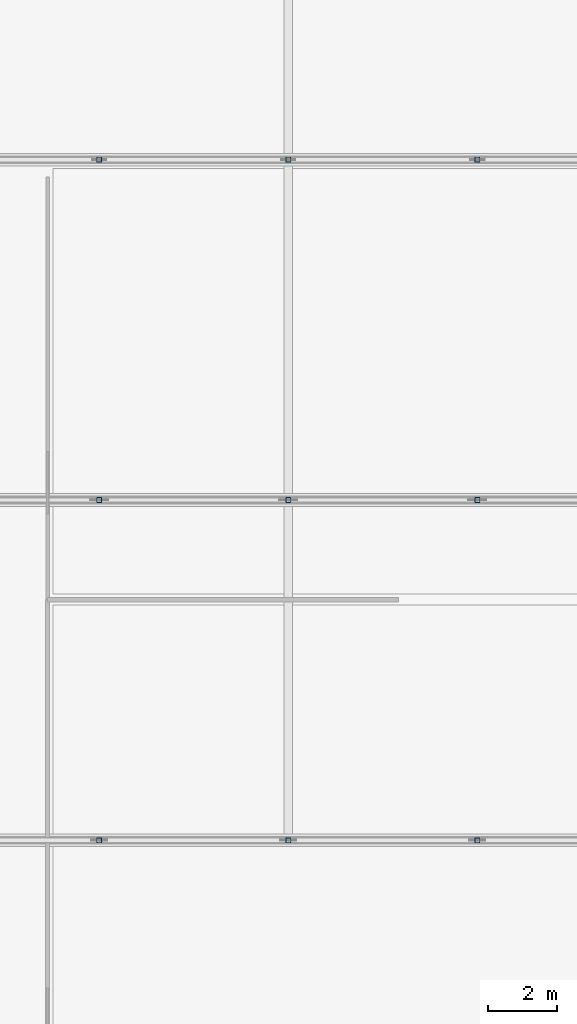
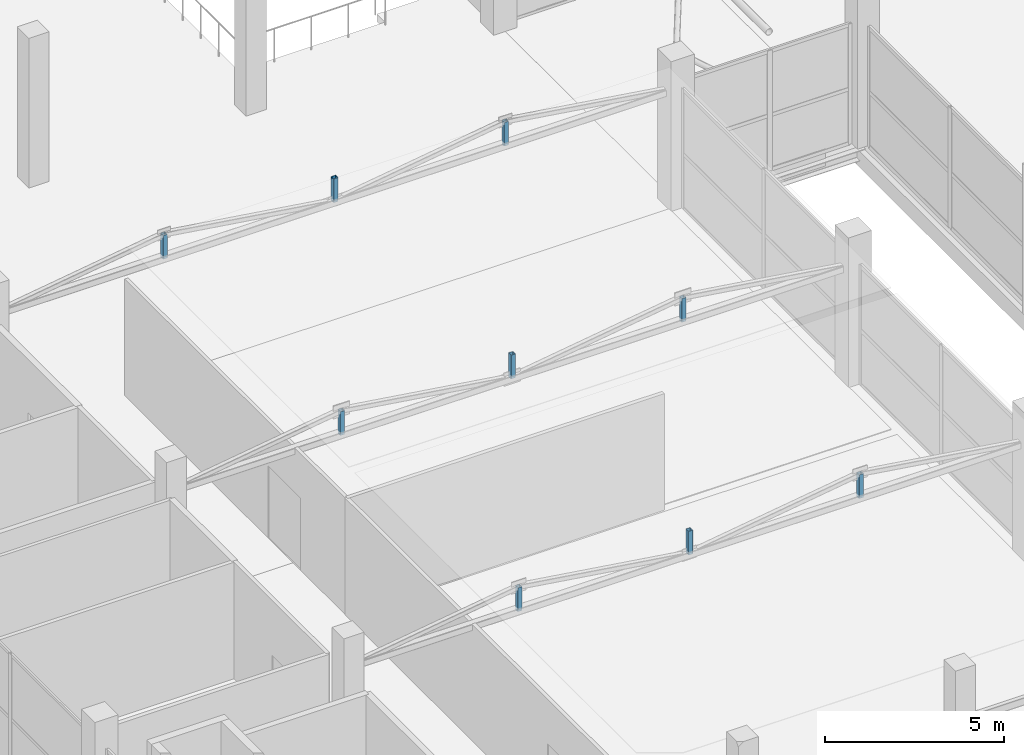
# One storey, part 48 of 67: 9 members.
"""IFC4 building model written with IfcOpenShell, lengths in metres."""

from ifc_helpers import new_model, si_unit, direction, frame, origin, origin_2d, place, context, subcontext, project, spatial, hollow_rectangle, extrude, material, material_profile, profile_set, type_object, element, save


model = new_model("IFC4")

# Units and contexts
model_context = context("Model", 3, precision=1e-05, world=origin(), true_north=direction((0.0, 1.0)))
body_context = subcontext(model_context, "Body", "Model", "MODEL_VIEW")
ifc_project = project(units=[si_unit("LENGTHUNIT", "METRE"), si_unit("AREAUNIT", "SQUARE_METRE"), si_unit("VOLUMEUNIT", "CUBIC_METRE"), si_unit("PLANEANGLEUNIT", "RADIAN"), si_unit("MASSUNIT", "GRAM", prefix="KILO")], contexts=[model_context])

# Site, building, storey
site_placement = place(None, origin())
site = spatial("IfcSite", under=ifc_project, at=site_placement, CompositionType="ELEMENT")
building_placement = place(site_placement, origin())
building = spatial("IfcBuilding", under=site, at=building_placement, Name="Sillaruma Civic Art Gallery", CompositionType="ELEMENT")
storey_placement = place(building_placement, frame((0.0, 0.0, 46.919921875)))
storey = spatial("IfcBuildingStorey", under=building, at=storey_placement, Name="L09", CompositionType="ELEMENT", Elevation=46.919921875)

# Members
ifc_material = material(Name="Structural Steel ASTM A500 Gr.C", Category="steel")
ifc_material_profile = material_profile(ifc_material, hollow_rectangle(XDim=0.14990234375, YDim=0.14990234375, WallThickness=0.010009765625, InnerFilletRadius=0.010009765625, OuterFilletRadius=0.02001953125, at=origin_2d()), Name="HSS150x150x10")
ifc_profile_set = profile_set([ifc_material_profile], Name="Structural Steel ASTM A500 Gr.C")
member_type = type_object("IfcMemberType", Name="MEM-POST-HSS150x150x10", PredefinedType="POST", material=ifc_profile_set)
for number, where, z_axis, x_axis, name in (
    (1, (75.5, 49.5, 3.860107421875), (0.0, 0.0, 1.0), (1.0, 0.0, 0.0), "Warren Truss Vertical Post TR-L09-1-V1"),
    (2, (81.0, 49.5, 3.860107421875), (0.0, 0.0, 1.0), (1.0, 0.0, 0.0), "Warren Truss Vertical Post TR-L09-1-V2"),
    (3, (86.5, 49.5, 3.860107421875), (0.0, 0.0, 1.0), (1.0, 0.0, 0.0), "Warren Truss Vertical Post TR-L09-1-V3"),
    (4, (75.5, 59.39990234375, 3.860107421875), (0.0, 0.0, 1.0), (1.0, 0.0, 0.0), "Warren Truss Vertical Post TR-L09-2-V1"),
    (5, (81.0, 59.39990234375, 3.860107421875), (0.0, 0.0, 1.0), (1.0, 0.0, 0.0), "Warren Truss Vertical Post TR-L09-2-V2"),
    (6, (86.5, 59.39990234375, 3.860107421875), (0.0, 0.0, 1.0), (1.0, 0.0, 0.0), "Warren Truss Vertical Post TR-L09-2-V3"),
    (7, (75.5, 69.300048828125, 3.860107421875), (0.0, 0.0, 1.0), (1.0, 0.0, 0.0), "Warren Truss Vertical Post TR-L09-3-V1"),
    (8, (81.0, 69.300048828125, 3.860107421875), (0.0, 0.0, 1.0), (1.0, 0.0, 0.0), "Warren Truss Vertical Post TR-L09-3-V2"),
    (9, (86.5, 69.300048828125, 3.860107421875), (0.0, 0.0, 1.0), (1.0, 0.0, 0.0), "Warren Truss Vertical Post TR-L09-3-V3"),
):
    element("IfcMember", number, at=place(storey_placement, frame(where, z_axis=z_axis, x_axis=x_axis)), inside=storey, type_object=member_type, Name=name, PredefinedType="POST", context=body_context, shape_type="SweptSolid", body=[
        extrude(hollow_rectangle(XDim=0.14990234375, YDim=0.14990234375, WallThickness=0.010009765625, InnerFilletRadius=0.010009765625, OuterFilletRadius=0.02001953125, at=origin_2d()), origin(), (0.0, 0.0, 1.0), 0.807861328125),
    ])

save(model, "model.ifc")
